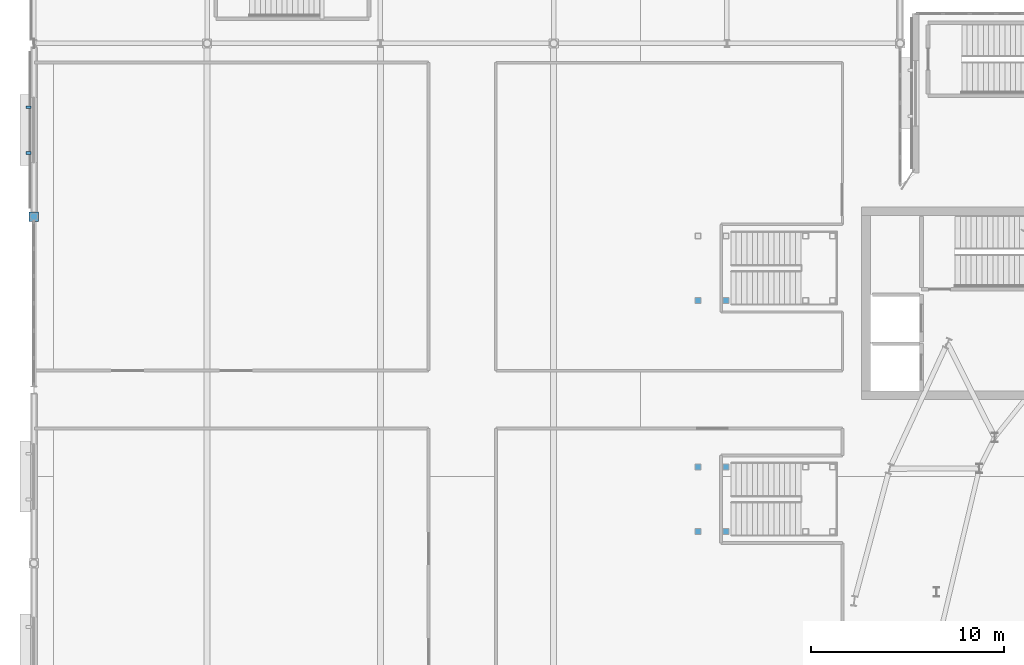
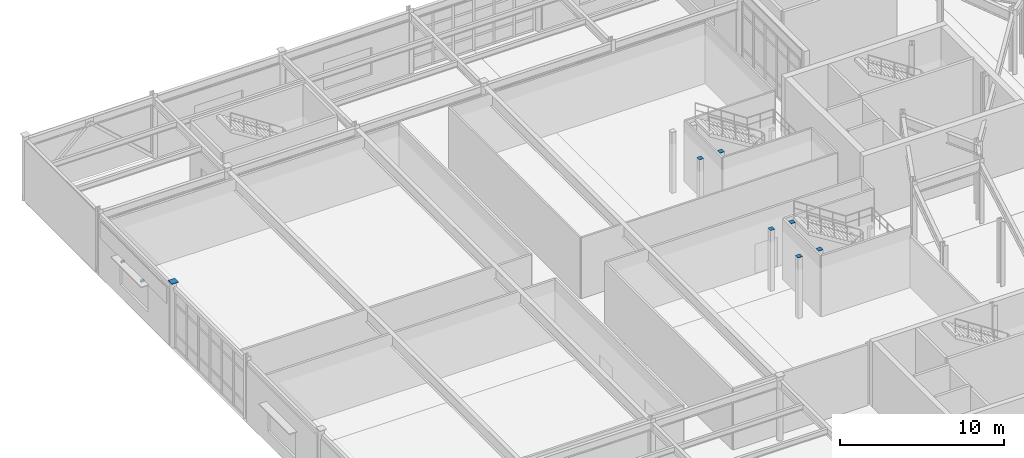
# One storey, part 73 of 84: 9 discrete accessories.
"""IFC4 building model written with IfcOpenShell, lengths in metres."""

from ifc_helpers import new_model, si_unit, direction, frame, origin, origin_2d, place, context, subcontext, project, spatial, rectangle, extrude, material, type_object, element, save


model = new_model("IFC4")

# Units and contexts
model_context = context("Model", 3, precision=1e-05, world=origin(), true_north=direction((0.0, 1.0)))
body_context = subcontext(model_context, "Body", "Model", "MODEL_VIEW")
ifc_project = project(units=[si_unit("LENGTHUNIT", "METRE"), si_unit("AREAUNIT", "SQUARE_METRE"), si_unit("VOLUMEUNIT", "CUBIC_METRE"), si_unit("PLANEANGLEUNIT", "RADIAN"), si_unit("MASSUNIT", "GRAM", prefix="KILO")], contexts=[model_context])

# Site, building, storey
site_placement = place(None, origin())
site = spatial("IfcSite", under=ifc_project, at=site_placement, CompositionType="ELEMENT")
building_placement = place(site_placement, origin())
building = spatial("IfcBuilding", under=site, at=building_placement, Name="Glasvene Arena", CompositionType="ELEMENT")
storey_placement = place(building_placement, frame((0.0, 0.0, 10.199951171875)))
storey = spatial("IfcBuildingStorey", under=building, at=storey_placement, Name="L02", CompositionType="ELEMENT", Elevation=10.199951171875)

# Discrete accessories
ifc_material_1 = material(Name="Steel S355J2", Category="steel")
discrete_accessory_type_1 = type_object("IfcDiscreteAccessoryType", Name="ACC-CAP-CHS420", PredefinedType="USERDEFINED", material=ifc_material_1)
discrete_accessory_placement = place(storey_placement, frame((0.0, 100.0, 4.798095703125), z_axis=(0.0, 0.0, 1.0), x_axis=(1.0, 0.0, 0.0)))
element("IfcDiscreteAccessory", 1, at=discrete_accessory_placement, inside=storey, type_object=discrete_accessory_type_1, Name="Hollow column top cap plate 1-12 L02", ObjectType="CAP PLATE", PredefinedType="USERDEFINED", context=body_context, shape_type="SweptSolid", body=[
    extrude(rectangle(XDim=0.47998046875, YDim=0.47998046875, at=origin_2d()), origin(), (0.0, 0.0, 1.0), 0.02001953125),
])
discrete_accessory_type_2 = type_object("IfcDiscreteAccessoryType", Name="ACC-CAP-SHS320", PredefinedType="USERDEFINED", material=ifc_material_1)
for number, where, z_axis, x_axis, name in (
    (2, (34.5, 95.64990234375, 4.51806640625), (0.0, 0.0, 1.0), (1.0, 0.0, 0.0), "Vomitory column cap plate VOM-06"),
    (3, (35.949951171875, 95.64990234375, 4.51806640625), (0.0, 0.0, 1.0), (1.0, 0.0, 0.0), "Vomitory column cap plate VOM-06"),
    (4, (34.5, 83.64990234375, 4.51806640625), (0.0, 0.0, 1.0), (1.0, 0.0, 0.0), "Vomitory column cap plate VOM-07"),
    (5, (34.5, 87.0, 4.51806640625), (0.0, 0.0, 1.0), (1.0, 0.0, 0.0), "Vomitory column cap plate VOM-07"),
    (6, (35.949951171875, 83.64990234375, 4.51806640625), (0.0, 0.0, 1.0), (1.0, 0.0, 0.0), "Vomitory column cap plate VOM-07"),
    (7, (35.949951171875, 87.0, 4.51806640625), (0.0, 0.0, 1.0), (1.0, 0.0, 0.0), "Vomitory column cap plate VOM-07"),
):
    element("IfcDiscreteAccessory", number, at=place(storey_placement, frame(where, z_axis=z_axis, x_axis=x_axis)), inside=storey, type_object=discrete_accessory_type_2, Name=name, ObjectType="CAP PLATE", PredefinedType="USERDEFINED", context=body_context, shape_type="SweptSolid", body=[
        extrude(rectangle(XDim=0.320068359375, YDim=0.320068359375, at=origin_2d()), origin(), (0.0, 0.0, 1.0), 0.02001953125),
    ])
ifc_material_2 = material(Name="Warm bronze architectural aluminium", Category="aluminium")
discrete_accessory_type_3 = type_object("IfcDiscreteAccessoryType", Name="ACC-FIN-BRK", PredefinedType="BRACKET", material=ifc_material_2)
for number, where, z_axis, x_axis, name in (
    (8, (-0.280029296875, 103.3115234375, 2.8701171875), (0.0, 0.0, 1.0), (0.0, 1.0, 0.0), "Brise-soleil wall bracket BK-046"),
    (9, (-0.280029296875, 105.691650390625, 2.8701171875), (0.0, 0.0, 1.0), (0.0, 1.0, 0.0), "Brise-soleil wall bracket BK-046"),
):
    element("IfcDiscreteAccessory", number, at=place(storey_placement, frame(where, z_axis=z_axis, x_axis=x_axis)), inside=storey, type_object=discrete_accessory_type_3, Name=name, PredefinedType="BRACKET", context=body_context, shape_type="SweptSolid", body=[
        extrude(rectangle(XDim=0.139892578125, YDim=0.239990234375, at=origin_2d()), origin(), (0.0, 0.0, 1.0), 0.139892578125),
    ])

save(model, "model.ifc")
